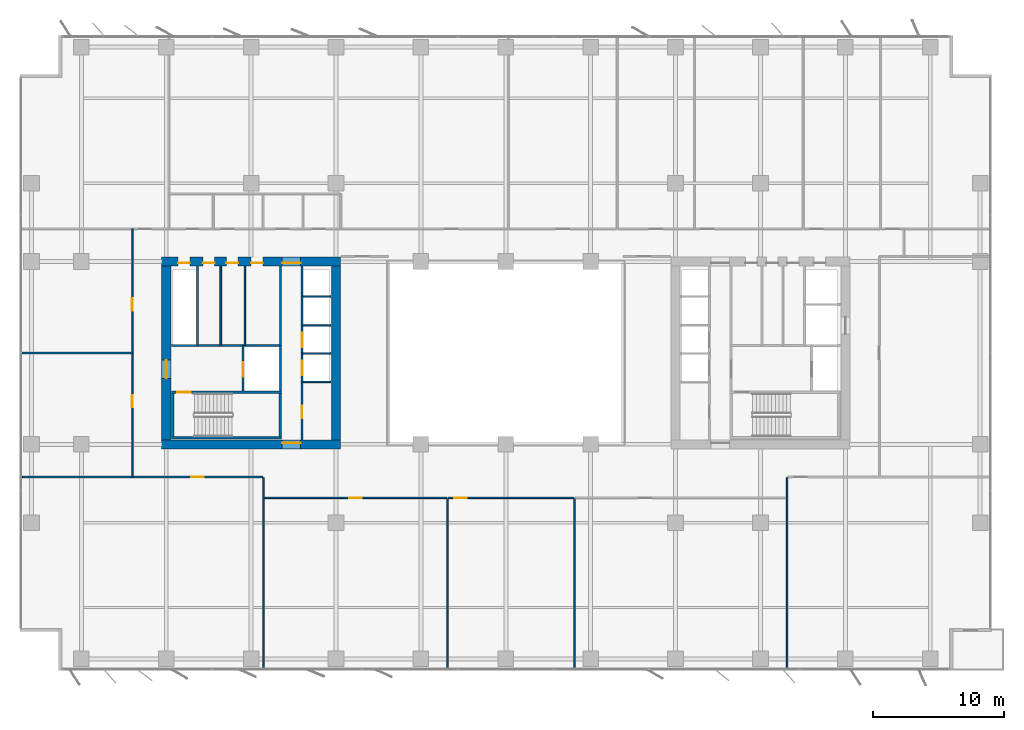
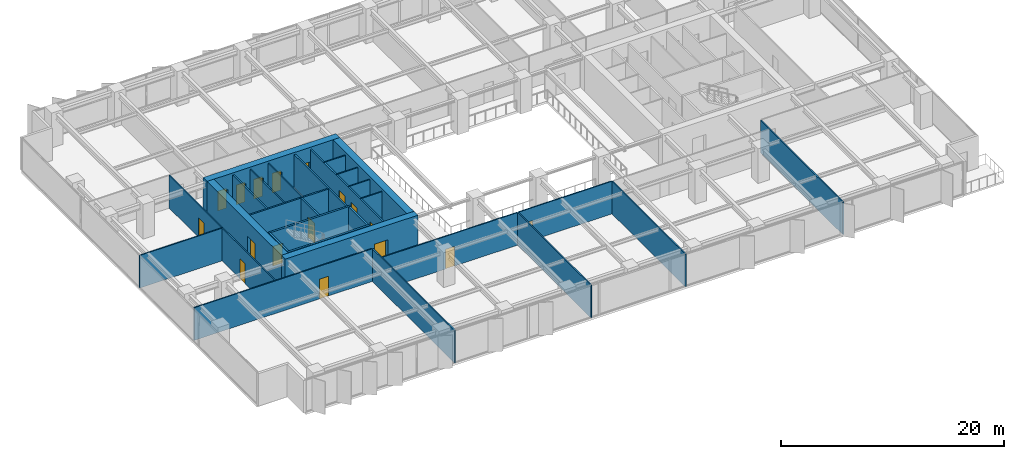
# One storey, part 13 of 20: 30 walls, 17 doors, 17 openings.
"""IFC4 building model written with IfcOpenShell, lengths in metres."""

from ifc_helpers import new_model, si_unit, direction, frame, frame_2d, origin, place, context, subcontext, project, spatial, rectangle, extrude, material, layer, layer_set, type_object, element, fill, save


model = new_model("IFC4")

# Units and contexts
model_context = context("Model", 3, precision=1e-05, world=origin(), true_north=direction((0.0, 1.0)))
body_context = subcontext(model_context, "Body", "Model", "MODEL_VIEW")
ifc_project = project(units=[si_unit("LENGTHUNIT", "METRE"), si_unit("AREAUNIT", "SQUARE_METRE"), si_unit("VOLUMEUNIT", "CUBIC_METRE"), si_unit("PLANEANGLEUNIT", "RADIAN"), si_unit("MASSUNIT", "GRAM", prefix="KILO")], contexts=[model_context])

# Site, building, storey
site_placement = place(None, origin())
site = spatial("IfcSite", under=ifc_project, at=site_placement, CompositionType="ELEMENT")
building_placement = place(site_placement, origin())
building = spatial("IfcBuilding", under=site, at=building_placement, Name="Putna Gate Headquarters", CompositionType="ELEMENT")
storey_placement = place(building_placement, frame((0.0, 0.0, 112.60009765625)))
storey = spatial("IfcBuildingStorey", under=building, at=storey_placement, Name="L27", CompositionType="ELEMENT", Elevation=112.60009765625)

# Wall, opening, door
ifc_material_1 = material(Name="Concrete C60/75", Category="concrete")
ifc_layer_1 = layer(ifc_material_1, 0.699951171875)
ifc_layer_set_1 = layer_set([ifc_layer_1], Name="Concrete C60/75")
wall_type_1 = type_object("IfcWallType", Name="WALL-CORE-700", PredefinedType="SHEAR", material=ifc_layer_set_1)
wall_1_placement = place(storey_placement, frame((12.64990234375, 19.0, 0.0), z_axis=(0.0, 0.0, 1.0), x_axis=(1.0, 0.0, 0.0)))
wall_1 = element("IfcWall", 1, at=wall_1_placement, inside=storey, type_object=wall_type_1, Name="L27 WC Split Core Shear Wall S", PredefinedType="SHEAR", context=body_context, shape_type="SweptSolid", body=[
    extrude(rectangle(XDim=13.7001953125, YDim=0.699951171875, at=frame_2d((6.85009765625, 0.0))), origin(), (0.0, 0.0, 1.0), 3.7998046875),
])
opening_1_placement = place(wall_1_placement, frame((9.22998046875, 0.0, 0.0)))
opening_1 = element("IfcOpeningElement", 2, at=opening_1_placement, cuts=wall_1, Name="Opening FDD-140", PredefinedType="OPENING", context=body_context, shape_type="SweptSolid", body=[
    extrude(rectangle(XDim=1.39990234375, YDim=2.199951171875, at=frame_2d((0.699951171875, 1.10009765625))), frame((0.0, 0.35986328125, 0.0), z_axis=(0.0, -1.0, 0.0), x_axis=(1.0, 0.0, 0.0)), (0.0, 0.0, 1.0), 0.719970703125),
])
ifc_material_2 = material(Name="Double steel fire door", Category="steel")
door_type_1 = type_object("IfcDoorType", Name="DOOR-FIRE-DBL-1400", OperationType="DOUBLE_DOOR_SINGLE_SWING", PredefinedType="DOOR", material=ifc_material_2)
door_1_placement = place(opening_1_placement, origin())
door_1 = element("IfcDoor", 3, at=door_1_placement, inside=storey, type_object=door_type_1, Name="L27 West Lift Lobby South Door", OperationType="DOUBLE_DOOR_SINGLE_SWING", OverallHeight=2.199951171875, OverallWidth=1.39990234375, PredefinedType="DOOR", context=body_context, shape_type="SweptSolid", body=[
    extrude(rectangle(XDim=1.39990234375, YDim=2.199951171875, at=frame_2d((0.699951171875, 1.10009765625))), frame((0.0, 0.125, 0.0), z_axis=(0.0, -1.0, 0.0), x_axis=(1.0, 0.0, 0.0)), (0.0, 0.0, 1.0), 0.050048828125),
])
fill(opening_1, door_1)

# Wall, openings, doors
wall_2_placement = place(storey_placement, frame((12.64990234375, 33.0, 0.0), z_axis=(0.0, 0.0, 1.0), x_axis=(1.0, 0.0, 0.0)))
wall_2 = element("IfcWall", 4, at=wall_2_placement, inside=storey, type_object=wall_type_1, Name="L27 WC Split Core Shear Wall N", PredefinedType="SHEAR", context=body_context, shape_type="SweptSolid", body=[
    extrude(rectangle(XDim=13.7001953125, YDim=0.699951171875, at=frame_2d((6.85009765625, 0.0))), origin(), (0.0, 0.0, 1.0), 3.7998046875),
])
opening_2_placement = place(wall_2_placement, frame((1.25, 0.0, 0.0)))
opening_2 = element("IfcOpeningElement", 5, at=opening_2_placement, cuts=wall_2, Name="Opening RD-90", PredefinedType="OPENING", context=body_context, shape_type="SweptSolid", body=[
    extrude(rectangle(XDim=0.89990234375, YDim=2.14990234375, at=frame_2d((0.449951171875, 1.074951171875))), frame((0.0, 0.35986328125, 0.0), z_axis=(0.0, -1.0, 0.0), x_axis=(1.0, 0.0, 0.0)), (0.0, 0.0, 1.0), 0.719970703125),
])
opening_3_placement = place(wall_2_placement, frame((3.14990234375, 0.0, 0.0)))
opening_3 = element("IfcOpeningElement", 6, at=opening_3_placement, cuts=wall_2, Name="Opening IDS-90", PredefinedType="OPENING", context=body_context, shape_type="SweptSolid", body=[
    extrude(rectangle(XDim=0.89990234375, YDim=2.14990234375, at=frame_2d((0.449951171875, 1.074951171875))), frame((0.0, 0.35986328125, 0.0), z_axis=(0.0, -1.0, 0.0), x_axis=(1.0, 0.0, 0.0)), (0.0, 0.0, 1.0), 0.719970703125),
])
opening_4_placement = place(wall_2_placement, frame((4.949951171875, 0.0, 0.0)))
opening_4 = element("IfcOpeningElement", 7, at=opening_4_placement, cuts=wall_2, Name="Opening IDS-90", PredefinedType="OPENING", context=body_context, shape_type="SweptSolid", body=[
    extrude(rectangle(XDim=0.89990234375, YDim=2.14990234375, at=frame_2d((0.449951171875, 1.074951171875))), frame((0.0, 0.35986328125, 0.0), z_axis=(0.0, -1.0, 0.0), x_axis=(1.0, 0.0, 0.0)), (0.0, 0.0, 1.0), 0.719970703125),
])
opening_5_placement = place(wall_2_placement, frame((6.85009765625, 0.0, 0.0)))
opening_5 = element("IfcOpeningElement", 8, at=opening_5_placement, cuts=wall_2, Name="Opening IDS-90", PredefinedType="OPENING", context=body_context, shape_type="SweptSolid", body=[
    extrude(rectangle(XDim=0.89990234375, YDim=2.14990234375, at=frame_2d((0.449951171875, 1.074951171875))), frame((0.0, 0.35986328125, 0.0), z_axis=(0.0, -1.0, 0.0), x_axis=(1.0, 0.0, 0.0)), (0.0, 0.0, 1.0), 0.719970703125),
])
opening_6_placement = place(wall_2_placement, frame((9.22998046875, 0.0, 0.0)))
opening_6 = element("IfcOpeningElement", 9, at=opening_6_placement, cuts=wall_2, Name="Opening FDD-140", PredefinedType="OPENING", context=body_context, shape_type="SweptSolid", body=[
    extrude(rectangle(XDim=1.39990234375, YDim=2.199951171875, at=frame_2d((0.699951171875, 1.10009765625))), frame((0.0, 0.35986328125, 0.0), z_axis=(0.0, -1.0, 0.0), x_axis=(1.0, 0.0, 0.0)), (0.0, 0.0, 1.0), 0.719970703125),
])
door_2_placement = place(opening_6_placement, origin())
door_2 = element("IfcDoor", 10, at=door_2_placement, inside=storey, type_object=door_type_1, Name="L27 West Lift Lobby North Door", OperationType="DOUBLE_DOOR_SINGLE_SWING", OverallHeight=2.199951171875, OverallWidth=1.39990234375, PredefinedType="DOOR", context=body_context, shape_type="SweptSolid", body=[
    extrude(rectangle(XDim=1.39990234375, YDim=2.199951171875, at=frame_2d((0.699951171875, 1.10009765625))), frame((0.0, -0.0751953125, 0.0), z_axis=(0.0, -1.0, 0.0), x_axis=(1.0, 0.0, 0.0)), (0.0, 0.0, 1.0), 0.050048828125),
])
fill(opening_6, door_2)
ifc_material_3 = material(Name="Fire-rated utility door")
door_type_2 = type_object("IfcDoorType", Name="DOOR-INT-900", OperationType="NOTDEFINED", PredefinedType="DOOR", material=ifc_material_3)
door_3_placement = place(opening_3_placement, origin())
door_3 = element("IfcDoor", 11, at=door_3_placement, inside=storey, type_object=door_type_2, Name="L27 Janitor Cupboard Door", OperationType="SINGLE_SWING_LEFT", OverallHeight=2.14990234375, OverallWidth=0.89990234375, PredefinedType="DOOR", context=body_context, shape_type="SweptSolid", body=[
    extrude(rectangle(XDim=0.89990234375, YDim=2.14990234375, at=frame_2d((0.449951171875, 1.074951171875))), frame((0.0, -0.0751953125, 0.0), z_axis=(0.0, -1.0, 0.0), x_axis=(1.0, 0.0, 0.0)), (0.0, 0.0, 1.0), 0.050048828125),
])
fill(opening_3, door_3)
door_4_placement = place(opening_4_placement, origin())
door_4 = element("IfcDoor", 12, at=door_4_placement, inside=storey, type_object=door_type_2, Name="L27 IT Patch Plant Door", OperationType="SINGLE_SWING_RIGHT", OverallHeight=2.14990234375, OverallWidth=0.89990234375, PredefinedType="DOOR", context=body_context, shape_type="SweptSolid", body=[
    extrude(rectangle(XDim=0.89990234375, YDim=2.14990234375, at=frame_2d((0.449951171875, 1.074951171875))), frame((0.0, -0.0751953125, 0.0), z_axis=(0.0, -1.0, 0.0), x_axis=(1.0, 0.0, 0.0)), (0.0, 0.0, 1.0), 0.050048828125),
])
fill(opening_4, door_4)
door_5_placement = place(opening_5_placement, origin())
door_5 = element("IfcDoor", 13, at=door_5_placement, inside=storey, type_object=door_type_2, Name="L27 Building Records Store Door", OperationType="SINGLE_SWING_LEFT", OverallHeight=2.14990234375, OverallWidth=0.89990234375, PredefinedType="DOOR", context=body_context, shape_type="SweptSolid", body=[
    extrude(rectangle(XDim=0.89990234375, YDim=2.14990234375, at=frame_2d((0.449951171875, 1.074951171875))), frame((0.0, -0.0751953125, 0.0), z_axis=(0.0, -1.0, 0.0), x_axis=(1.0, 0.0, 0.0)), (0.0, 0.0, 1.0), 0.050048828125),
])
fill(opening_5, door_5)
ifc_material_4 = material(Name="Steel riser access fire door", Category="steel")
door_type_3 = type_object("IfcDoorType", Name="DOOR-RISER-900", OperationType="NOTDEFINED", PredefinedType="DOOR", material=ifc_material_4)
door_6_placement = place(opening_2_placement, origin())
door_6 = element("IfcDoor", 14, at=door_6_placement, inside=storey, type_object=door_type_3, Name="L27 West Riser Access Door", OperationType="SINGLE_SWING_RIGHT", OverallHeight=2.14990234375, OverallWidth=0.89990234375, PredefinedType="DOOR", context=body_context, shape_type="SweptSolid", body=[
    extrude(rectangle(XDim=0.89990234375, YDim=2.14990234375, at=frame_2d((0.449951171875, 1.074951171875))), frame((0.0, -0.0751953125, 0.0), z_axis=(0.0, -1.0, 0.0), x_axis=(1.0, 0.0, 0.0)), (0.0, 0.0, 1.0), 0.050048828125),
])
fill(opening_2, door_6)

# Wall, opening, door
wall_3_placement = place(storey_placement, frame((13.0, 19.35009765625, 0.0), z_axis=(0.0, 0.0, 1.0), x_axis=(0.0, 1.0, 0.0)))
wall_3 = element("IfcWall", 15, at=wall_3_placement, inside=storey, type_object=wall_type_1, Name="L27 WC Split Core Shear Wall W", PredefinedType="SHEAR", context=body_context, shape_type="SweptSolid", body=[
    extrude(rectangle(XDim=13.2998046875, YDim=0.699951171875, at=frame_2d((6.64990234375, 0.0))), origin(), (0.0, 0.0, 1.0), 3.7998046875),
])
opening_7_placement = place(wall_3_placement, frame((4.699951171875, 0.0, 0.0)))
opening_7 = element("IfcOpeningElement", 16, at=opening_7_placement, cuts=wall_3, Name="Opening FDD-140", PredefinedType="OPENING", context=body_context, shape_type="SweptSolid", body=[
    extrude(rectangle(XDim=1.39990234375, YDim=2.199951171875, at=frame_2d((0.699951171875, 1.10009765625))), frame((0.0, 0.35986328125, 0.0), z_axis=(0.0, -1.0, 0.0), x_axis=(1.0, 0.0, 0.0)), (0.0, 0.0, 1.0), 0.719970703125),
])
door_7_placement = place(opening_7_placement, origin())
door_7 = element("IfcDoor", 17, at=door_7_placement, inside=storey, type_object=door_type_1, Name="L27 West Firefighting Lobby Door", OperationType="DOUBLE_DOOR_SINGLE_SWING", OverallHeight=2.199951171875, OverallWidth=1.39990234375, PredefinedType="DOOR", context=body_context, shape_type="SweptSolid", body=[
    extrude(rectangle(XDim=1.39990234375, YDim=2.199951171875, at=frame_2d((0.699951171875, 1.10009765625))), frame((0.0, 0.02490234375, 0.0), z_axis=(0.0, -1.0, 0.0), x_axis=(1.0, 0.0, 0.0)), (0.0, 0.0, 1.0), 0.050048828125),
])
fill(opening_7, door_7)

# Walls
wall_4_placement = place(storey_placement, frame((26.0, 19.35009765625, 0.0), z_axis=(0.0, 0.0, 1.0), x_axis=(0.0, 1.0, 0.0)))
element("IfcWall", 18, at=wall_4_placement, inside=storey, type_object=wall_type_1, Name="L27 WC Split Core Shear Wall E", PredefinedType="SHEAR", context=body_context, shape_type="SweptSolid", body=[
    extrude(rectangle(XDim=13.2998046875, YDim=0.699951171875, at=frame_2d((6.64990234375, 0.0))), origin(), (0.0, 0.0, 1.0), 3.7998046875),
])
ifc_material_5 = material(Name="Acoustic gypsum board on metal stud")
ifc_layer_2 = layer(ifc_material_5, 0.1201171875)
ifc_layer_set_2 = layer_set([ifc_layer_2], Name="Acoustic gypsum board on metal stud")
wall_type_2 = type_object("IfcWallType", Name="WALL-PART-120", PredefinedType="PARTITIONING", material=ifc_layer_set_2)
wall_5_placement = place(storey_placement, frame((20.430908203125, 1.719970703125, 0.0), z_axis=(0.0, 0.0, 1.0), x_axis=(0.0, 1.0, 0.0)))
element("IfcWall", 19, at=wall_5_placement, inside=storey, type_object=wall_type_2, Name="L27 Interior Wall PART-L27-SB-DIV-01", PredefinedType="PARTITIONING", context=body_context, shape_type="SweptSolid", body=[
    extrude(rectangle(XDim=14.719970703125, YDim=0.1201171875, at=frame_2d((7.35986328125, 0.0))), origin(), (0.0, 0.0, 1.0), 3.56494140625),
])
for number, where, z_axis, x_axis, name in (
    (20, (34.528076171875, 1.719970703125, 0.0), (0.0, 0.0, 1.0), (0.0, 1.0, 0.0), "L27 Interior Wall PART-L27-SB-DIV-02"),
    (21, (44.271484375, 1.719970703125, 0.0), (0.0, 0.0, 1.0), (0.0, 1.0, 0.0), "L27 Interior Wall PART-L27-SB-DIV-03"),
):
    element("IfcWall", number, at=place(storey_placement, frame(where, z_axis=z_axis, x_axis=x_axis)), inside=storey, type_object=wall_type_2, Name=name, PredefinedType="PARTITIONING", context=body_context, shape_type="SweptSolid", body=[
        extrude(rectangle(XDim=13.1201171875, YDim=0.1201171875, at=frame_2d((6.56005859375, 0.0))), origin(), (0.0, 0.0, 1.0), 3.56494140625),
    ])
wall_6_placement = place(storey_placement, frame((60.545654296875, 1.719970703125, 0.0), z_axis=(0.0, 0.0, 1.0), x_axis=(0.0, 1.0, 0.0)))
element("IfcWall", 22, at=wall_6_placement, inside=storey, type_object=wall_type_2, Name="L27 Interior Wall PART-L27-SB-DIV-04", PredefinedType="PARTITIONING", context=body_context, shape_type="SweptSolid", body=[
    extrude(rectangle(XDim=14.719970703125, YDim=0.1201171875, at=frame_2d((7.35986328125, 0.0))), origin(), (0.0, 0.0, 1.0), 3.56494140625),
])
wall_7_placement = place(storey_placement, frame((1.820068359375, 26.0, 0.0), z_axis=(0.0, 0.0, 1.0), x_axis=(1.0, 0.0, 0.0)))
element("IfcWall", 23, at=wall_7_placement, inside=storey, type_object=wall_type_2, Name="L27 Interior Wall PART-L27-WW-DIV-1", PredefinedType="PARTITIONING", context=body_context, shape_type="SweptSolid", body=[
    extrude(rectangle(XDim=8.579833984375, YDim=0.1201171875, at=frame_2d((4.2900390625, 0.0))), origin(), (0.0, 0.0, 1.0), 3.56494140625),
])
ifc_material_6 = material(Name="Fire-rated shaftwall gypsum board on metal stud")
ifc_layer_3 = layer(ifc_material_6, 0.1201171875)
ifc_layer_set_3 = layer_set([ifc_layer_3], Name="Fire-rated shaftwall gypsum board on metal stud")
wall_type_3 = type_object("IfcWallType", Name="WALL-PART-120-EI120", PredefinedType="PARTITIONING", material=ifc_layer_set_3)
for number, where, z_axis, x_axis, name in (
    (24, (23.39990234375, 25.949951171875, 0.0), (0.0, 0.0, 1.0), (1.0, 0.0, 0.0), "L27 Interior Wall CWINT-L27-WC-LF05-DIV"),
    (25, (23.39990234375, 28.1201171875, 0.0), (0.0, 0.0, 1.0), (1.0, 0.0, 0.0), "L27 Interior Wall CWINT-L27-WC-LF06-DIV"),
    (26, (23.39990234375, 30.31005859375, 0.0), (0.0, 0.0, 1.0), (1.0, 0.0, 0.0), "L27 Interior Wall CWINT-L27-WC-LF09-DIV"),
):
    element("IfcWall", number, at=place(storey_placement, frame(where, z_axis=z_axis, x_axis=x_axis)), inside=storey, type_object=wall_type_3, Name=name, PredefinedType="PARTITIONING", context=body_context, shape_type="SweptSolid", body=[
        extrude(rectangle(XDim=2.2001953125, YDim=0.1201171875, at=frame_2d((1.10009765625, 0.0))), origin(), (0.0, 0.0, 1.0), 3.56494140625),
    ])
ifc_material_7 = material(Name="Fire-rated gypsum board on metal stud")
ifc_layer_4 = layer(ifc_material_7, 0.1201171875)
ifc_layer_set_4 = layer_set([ifc_layer_4], Name="Fire-rated gypsum board on metal stud")
wall_type_4 = type_object("IfcWallType", Name="WALL-PART-120-RATED", PredefinedType="PARTITIONING", material=ifc_layer_set_4)
for number, where, z_axis, x_axis, name in (
    (27, (17.169921875, 26.56005859375, 0.0), (0.0, 0.0, 1.0), (0.0, 1.0, 0.0), "L27 Interior Wall CWINT-L27-WC-K2-D1"),
    (28, (19.02001953125, 26.56005859375, 0.0), (0.0, 0.0, 1.0), (0.0, 1.0, 0.0), "L27 Interior Wall CWINT-L27-WC-K2-D2"),
):
    element("IfcWall", number, at=place(storey_placement, frame(where, z_axis=z_axis, x_axis=x_axis)), inside=storey, type_object=wall_type_4, Name=name, PredefinedType="PARTITIONING", context=body_context, shape_type="SweptSolid", body=[
        extrude(rectangle(XDim=6.08984375, YDim=0.1201171875, at=frame_2d((3.044921875, 0.0))), origin(), (0.0, 0.0, 1.0), 3.56494140625),
    ])
wall_8_placement = place(storey_placement, frame((23.39990234375, 23.780029296875, 0.0), z_axis=(0.0, 0.0, 1.0), x_axis=(1.0, 0.0, 0.0)))
element("IfcWall", 29, at=wall_8_placement, inside=storey, type_object=wall_type_4, Name="L27 Interior Wall CWINT-L27-WC-LF02-DIV", PredefinedType="PARTITIONING", context=body_context, shape_type="SweptSolid", body=[
    extrude(rectangle(XDim=2.2001953125, YDim=0.1201171875, at=frame_2d((1.10009765625, 0.0))), origin(), (0.0, 0.0, 1.0), 3.56494140625),
])

# Wall, opening, door
wall_9_placement = place(storey_placement, frame((1.97998046875, 16.5, 0.0), z_axis=(0.0, 0.0, 1.0), x_axis=(1.0, 0.0, 0.0)))
wall_9 = element("IfcWall", 30, at=wall_9_placement, inside=storey, type_object=wall_type_4, Name="L27 Interior Wall PART-L27-SB-CW-01", PredefinedType="PARTITIONING", context=body_context, shape_type="SweptSolid", body=[
    extrude(rectangle(XDim=18.390869140625, YDim=0.1201171875, at=frame_2d((9.1953125, 0.0))), origin(), (0.0, 0.0, 1.0), 3.56494140625),
])
opening_8_placement = place(wall_9_placement, frame((12.930419921875, 0.0, 0.0)))
opening_8 = element("IfcOpeningElement", 31, at=opening_8_placement, cuts=wall_9, Name="Opening FD-95", PredefinedType="OPENING", context=body_context, shape_type="SweptSolid", body=[
    extrude(rectangle(XDim=0.949951171875, YDim=2.14990234375, at=frame_2d((0.47509765625, 1.074951171875))), frame((0.0, 0.070068359375, 0.0), z_axis=(0.0, -1.0, 0.0), x_axis=(1.0, 0.0, 0.0)), (0.0, 0.0, 1.0), 0.14013671875),
])
ifc_material_8 = material(Name="Acoustic timber fire door", Category="wood")
door_type_4 = type_object("IfcDoorType", Name="DOOR-FIRE-950", OperationType="NOTDEFINED", PredefinedType="DOOR", material=ifc_material_8)
door_8_placement = place(opening_8_placement, origin())
door_8 = element("IfcDoor", 32, at=door_8_placement, inside=storey, type_object=door_type_4, Name="L27 Cellular Office 2 Door", OperationType="SINGLE_SWING_RIGHT", OverallHeight=2.14990234375, OverallWidth=0.949951171875, PredefinedType="DOOR", context=body_context, shape_type="SweptSolid", body=[
    extrude(rectangle(XDim=0.949951171875, YDim=2.14990234375, at=frame_2d((0.47509765625, 1.074951171875))), frame((0.0, 0.02490234375, 0.0), z_axis=(0.0, -1.0, 0.0), x_axis=(1.0, 0.0, 0.0)), (0.0, 0.0, 1.0), 0.050048828125),
])
fill(opening_8, door_8)

wall_10_placement = place(storey_placement, frame((20.49072265625, 14.89990234375, 0.0), z_axis=(0.0, 0.0, 1.0), x_axis=(1.0, 0.0, 0.0)))
wall_10 = element("IfcWall", 33, at=wall_10_placement, inside=storey, type_object=wall_type_4, Name="L27 Interior Wall PART-L27-SB-CW-02", PredefinedType="PARTITIONING", context=body_context, shape_type="SweptSolid", body=[
    extrude(rectangle(XDim=13.977294921875, YDim=0.1201171875, at=frame_2d((6.98876953125, 0.0))), origin(), (0.0, 0.0, 1.0), 3.56494140625),
])
opening_9_placement = place(wall_10_placement, frame((6.513671875, 0.0, 0.0)))
opening_9 = element("IfcOpeningElement", 34, at=opening_9_placement, cuts=wall_10, Name="Opening FD-95", PredefinedType="OPENING", context=body_context, shape_type="SweptSolid", body=[
    extrude(rectangle(XDim=0.949951171875, YDim=2.14990234375, at=frame_2d((0.47509765625, 1.074951171875))), frame((0.0, 0.070068359375, 0.0), z_axis=(0.0, -1.0, 0.0), x_axis=(1.0, 0.0, 0.0)), (0.0, 0.0, 1.0), 0.14013671875),
])
door_9_placement = place(opening_9_placement, origin())
door_9 = element("IfcDoor", 35, at=door_9_placement, inside=storey, type_object=door_type_4, Name="L27 Collaborative Breakout Lounge 1 Door", OperationType="SINGLE_SWING_LEFT", OverallHeight=2.14990234375, OverallWidth=0.949951171875, PredefinedType="DOOR", context=body_context, shape_type="SweptSolid", body=[
    extrude(rectangle(XDim=0.949951171875, YDim=2.14990234375, at=frame_2d((0.47509765625, 1.074951171875))), frame((0.0, 0.02490234375, 0.0), z_axis=(0.0, -1.0, 0.0), x_axis=(1.0, 0.0, 0.0)), (0.0, 0.0, 1.0), 0.050048828125),
])
fill(opening_9, door_9)

wall_11_placement = place(storey_placement, frame((34.587890625, 14.89990234375, 0.0), z_axis=(0.0, 0.0, 1.0), x_axis=(1.0, 0.0, 0.0)))
wall_11 = element("IfcWall", 36, at=wall_11_placement, inside=storey, type_object=wall_type_4, Name="L27 Interior Wall PART-L27-SB-CW-03", PredefinedType="PARTITIONING", context=body_context, shape_type="SweptSolid", body=[
    extrude(rectangle(XDim=9.623779296875, YDim=0.1201171875, at=frame_2d((4.81201171875, 0.0))), origin(), (0.0, 0.0, 1.0), 3.56494140625),
])
opening_10_placement = place(wall_11_placement, frame((0.47998046875, 0.0, 0.0)))
opening_10 = element("IfcOpeningElement", 37, at=opening_10_placement, cuts=wall_11, Name="Opening FD-95", PredefinedType="OPENING", context=body_context, shape_type="SweptSolid", body=[
    extrude(rectangle(XDim=0.949951171875, YDim=2.14990234375, at=frame_2d((0.47509765625, 1.074951171875))), frame((0.0, 0.070068359375, 0.0), z_axis=(0.0, -1.0, 0.0), x_axis=(1.0, 0.0, 0.0)), (0.0, 0.0, 1.0), 0.14013671875),
])
door_10_placement = place(opening_10_placement, origin())
door_10 = element("IfcDoor", 38, at=door_10_placement, inside=storey, type_object=door_type_4, Name="L27 Collaborative Breakout Lounge 2 Door", OperationType="SINGLE_SWING_RIGHT", OverallHeight=2.14990234375, OverallWidth=0.949951171875, PredefinedType="DOOR", context=body_context, shape_type="SweptSolid", body=[
    extrude(rectangle(XDim=0.949951171875, YDim=2.14990234375, at=frame_2d((0.47509765625, 1.074951171875))), frame((0.0, 0.02490234375, 0.0), z_axis=(0.0, -1.0, 0.0), x_axis=(1.0, 0.0, 0.0)), (0.0, 0.0, 1.0), 0.050048828125),
])
fill(opening_10, door_10)

wall_12_placement = place(storey_placement, frame((10.39990234375, 16.5, 0.0), z_axis=(0.0, 0.0, 1.0), x_axis=(0.0, 1.0, 0.0)))
wall_12 = element("IfcWall", 39, at=wall_12_placement, inside=storey, type_object=wall_type_4, Name="L27 Interior Wall PART-L27-WW-CW-1", PredefinedType="PARTITIONING", context=body_context, shape_type="SweptSolid", body=[
    extrude(rectangle(XDim=9.5, YDim=0.1201171875, at=frame_2d((4.75, 0.0))), origin(), (0.0, 0.0, 1.0), 3.56494140625),
])
opening_11_placement = place(wall_12_placement, frame((5.324951171875, 0.0, 0.0)))
opening_11 = element("IfcOpeningElement", 40, at=opening_11_placement, cuts=wall_12, Name="Opening FD-95", PredefinedType="OPENING", context=body_context, shape_type="SweptSolid", body=[
    extrude(rectangle(XDim=0.949951171875, YDim=2.14990234375, at=frame_2d((0.47509765625, 1.074951171875))), frame((0.0, 0.070068359375, 0.0), z_axis=(0.0, -1.0, 0.0), x_axis=(1.0, 0.0, 0.0)), (0.0, 0.0, 1.0), 0.14013671875),
])
door_11_placement = place(opening_11_placement, origin())
door_11 = element("IfcDoor", 41, at=door_11_placement, inside=storey, type_object=door_type_4, Name="L27 West Project Meeting Room 1 Door", OperationType="SINGLE_SWING_LEFT", OverallHeight=2.14990234375, OverallWidth=0.949951171875, PredefinedType="DOOR", context=body_context, shape_type="SweptSolid", body=[
    extrude(rectangle(XDim=0.949951171875, YDim=2.14990234375, at=frame_2d((0.47509765625, 1.074951171875))), frame((0.0, 0.02490234375, 0.0), z_axis=(0.0, -1.0, 0.0), x_axis=(1.0, 0.0, 0.0)), (0.0, 0.0, 1.0), 0.050048828125),
])
fill(opening_11, door_11)

wall_13_placement = place(storey_placement, frame((10.39990234375, 26.0, 0.0), z_axis=(0.0, 0.0, 1.0), x_axis=(0.0, 1.0, 0.0)))
wall_13 = element("IfcWall", 42, at=wall_13_placement, inside=storey, type_object=wall_type_4, Name="L27 Interior Wall PART-L27-WW-CW-2", PredefinedType="PARTITIONING", context=body_context, shape_type="SweptSolid", body=[
    extrude(rectangle(XDim=9.5, YDim=0.1201171875, at=frame_2d((4.75, 0.0))), origin(), (0.0, 0.0, 1.0), 3.56494140625),
])
opening_12_placement = place(wall_13_placement, frame((3.22509765625, 0.0, 0.0)))
opening_12 = element("IfcOpeningElement", 43, at=opening_12_placement, cuts=wall_13, Name="Opening FD-95", PredefinedType="OPENING", context=body_context, shape_type="SweptSolid", body=[
    extrude(rectangle(XDim=0.949951171875, YDim=2.14990234375, at=frame_2d((0.47509765625, 1.074951171875))), frame((0.0, 0.070068359375, 0.0), z_axis=(0.0, -1.0, 0.0), x_axis=(1.0, 0.0, 0.0)), (0.0, 0.0, 1.0), 0.14013671875),
])
door_12_placement = place(opening_12_placement, origin())
door_12 = element("IfcDoor", 44, at=door_12_placement, inside=storey, type_object=door_type_4, Name="L27 West Project Meeting Room 2 Door", OperationType="SINGLE_SWING_RIGHT", OverallHeight=2.14990234375, OverallWidth=0.949951171875, PredefinedType="DOOR", context=body_context, shape_type="SweptSolid", body=[
    extrude(rectangle(XDim=0.949951171875, YDim=2.14990234375, at=frame_2d((0.47509765625, 1.074951171875))), frame((0.0, 0.02490234375, 0.0), z_axis=(0.0, -1.0, 0.0), x_axis=(1.0, 0.0, 0.0)), (0.0, 0.0, 1.0), 0.050048828125),
])
fill(opening_12, door_12)

# Wall
ifc_material_9 = material(Name="Concrete C40/50", Category="concrete")
ifc_layer_5 = layer(ifc_material_9, 0.159912109375)
ifc_layer_set_5 = layer_set([ifc_layer_5], Name="Concrete C40/50")
wall_type_5 = type_object("IfcWallType", Name="WALL-SHAFT-160", PredefinedType="STANDARD", material=ifc_layer_set_5)
wall_14_placement = place(storey_placement, frame((21.739990234375, 23.090087890625, 0.0), z_axis=(0.0, 0.0, 1.0), x_axis=(0.0, 1.0, 0.0)))
element("IfcWall", 45, at=wall_14_placement, inside=storey, type_object=wall_type_5, Name="L27 Interior Wall CWINT-L27-WC-FFL-E", PredefinedType="STANDARD", context=body_context, shape_type="SweptSolid", body=[
    extrude(rectangle(XDim=3.469970703125, YDim=0.159912109375, at=frame_2d((1.73486328125, 0.0))), origin(), (0.0, 0.0, 1.0), 3.56494140625),
])

# Wall, opening, door
wall_15_placement = place(storey_placement, frame((18.8798828125, 23.090087890625, 0.0), z_axis=(0.0, 0.0, 1.0), x_axis=(0.0, 1.0, 0.0)))
wall_15 = element("IfcWall", 46, at=wall_15_placement, inside=storey, type_object=wall_type_5, Name="L27 Interior Wall CWINT-L27-WC-LF13-W", PredefinedType="STANDARD", context=body_context, shape_type="SweptSolid", body=[
    extrude(rectangle(XDim=3.469970703125, YDim=0.159912109375, at=frame_2d((1.73486328125, 0.0))), origin(), (0.0, 0.0, 1.0), 3.56494140625),
])
opening_13_placement = place(wall_15_placement, frame((1.10009765625, 0.0, 0.0)))
opening_13 = element("IfcOpeningElement", 47, at=opening_13_placement, cuts=wall_15, Name="Opening LD-1", PredefinedType="OPENING", context=body_context, shape_type="SweptSolid", body=[
    extrude(rectangle(XDim=1.10009765625, YDim=2.199951171875, at=frame_2d((0.550048828125, 1.10009765625))), frame((0.0, 0.08984375, 0.0), z_axis=(0.0, -1.0, 0.0), x_axis=(1.0, 0.0, 0.0)), (0.0, 0.0, 1.0), 0.179931640625),
])
ifc_material_10 = material(Name="Brushed bronze stainless lift landing door")
door_type_5 = type_object("IfcDoorType", Name="DOOR-LIFT-1100", OperationType="DOUBLE_DOOR_SLIDING", PredefinedType="DOOR", material=ifc_material_10)
door_13_placement = place(opening_13_placement, origin())
door_13 = element("IfcDoor", 48, at=door_13_placement, inside=storey, type_object=door_type_5, Name="L27 Lift Landing Door LD-13", OperationType="DOUBLE_DOOR_SLIDING", OverallHeight=2.199951171875, OverallWidth=1.10009765625, PredefinedType="DOOR", context=body_context, shape_type="SweptSolid", body=[
    extrude(rectangle(XDim=1.10009765625, YDim=2.199951171875, at=frame_2d((0.550048828125, 1.10009765625))), frame((0.0, 0.02490234375, 0.0), z_axis=(0.0, -1.0, 0.0), x_axis=(1.0, 0.0, 0.0)), (0.0, 0.0, 1.0), 0.050048828125),
])
fill(opening_13, door_13)

# Walls
wall_16_placement = place(storey_placement, frame((13.39990234375, 26.56005859375, 0.0), z_axis=(0.0, 0.0, 1.0), x_axis=(1.0, 0.0, 0.0)))
element("IfcWall", 49, at=wall_16_placement, inside=storey, type_object=wall_type_5, Name="L27 Interior Wall CWINT-L27-WC-FFL-N", PredefinedType="STANDARD", context=body_context, shape_type="SweptSolid", body=[
    extrude(rectangle(XDim=8.340087890625, YDim=0.159912109375, at=frame_2d((4.169921875, 0.0))), origin(), (0.0, 0.0, 1.0), 3.56494140625),
])
for number, where, z_axis, x_axis, name in (
    (50, (15.3798828125, 26.56005859375, 0.0), (0.0, 0.0, 1.0), (0.0, 1.0, 0.0), "L27 Interior Wall CWINT-L27-WC-RISER-E"),
    (51, (21.739990234375, 26.56005859375, 0.0), (0.0, 0.0, 1.0), (0.0, 1.0, 0.0), "L27 Interior Wall CWINT-L27-WC-LOB-W"),
):
    element("IfcWall", number, at=place(storey_placement, frame(where, z_axis=z_axis, x_axis=x_axis)), inside=storey, type_object=wall_type_5, Name=name, PredefinedType="STANDARD", context=body_context, shape_type="SweptSolid", body=[
        extrude(rectangle(XDim=6.08984375, YDim=0.159912109375, at=frame_2d((3.044921875, 0.0))), origin(), (0.0, 0.0, 1.0), 3.56494140625),
    ])

# Wall, openings, doors
wall_17_placement = place(storey_placement, frame((23.39990234375, 19.35009765625, 0.0), z_axis=(0.0, 0.0, 1.0), x_axis=(0.0, 1.0, 0.0)))
wall_17 = element("IfcWall", 52, at=wall_17_placement, inside=storey, type_object=wall_type_5, Name="L27 Interior Wall CWINT-L27-WC-PL-WALL", PredefinedType="STANDARD", context=body_context, shape_type="SweptSolid", body=[
    extrude(rectangle(XDim=13.2998046875, YDim=0.159912109375, at=frame_2d((6.64990234375, 0.0))), origin(), (0.0, 0.0, 1.0), 3.56494140625),
])
opening_14_placement = place(wall_17_placement, frame((1.64990234375, 0.0, 0.0)))
opening_14 = element("IfcOpeningElement", 53, at=opening_14_placement, cuts=wall_17, Name="Opening IDS-95", PredefinedType="OPENING", context=body_context, shape_type="SweptSolid", body=[
    extrude(rectangle(XDim=0.949951171875, YDim=2.14990234375, at=frame_2d((0.47509765625, 1.074951171875))), frame((0.0, 0.08984375, 0.0), z_axis=(0.0, -1.0, 0.0), x_axis=(1.0, 0.0, 0.0)), (0.0, 0.0, 1.0), 0.179931640625),
])
opening_15_placement = place(wall_17_placement, frame((4.949951171875, 0.0, 0.0)))
opening_15 = element("IfcOpeningElement", 54, at=opening_15_placement, cuts=wall_17, Name="Opening LD-1", PredefinedType="OPENING", context=body_context, shape_type="SweptSolid", body=[
    extrude(rectangle(XDim=1.10009765625, YDim=2.199951171875, at=frame_2d((0.550048828125, 1.10009765625))), frame((0.0, 0.08984375, 0.0), z_axis=(0.0, -1.0, 0.0), x_axis=(1.0, 0.0, 0.0)), (0.0, 0.0, 1.0), 0.179931640625),
])
opening_16_placement = place(wall_17_placement, frame((7.10009765625, 0.0, 0.0)))
opening_16 = element("IfcOpeningElement", 55, at=opening_16_placement, cuts=wall_17, Name="Opening LD-1", PredefinedType="OPENING", context=body_context, shape_type="SweptSolid", body=[
    extrude(rectangle(XDim=1.10009765625, YDim=2.199951171875, at=frame_2d((0.550048828125, 1.10009765625))), frame((0.0, 0.08984375, 0.0), z_axis=(0.0, -1.0, 0.0), x_axis=(1.0, 0.0, 0.0)), (0.0, 0.0, 1.0), 0.179931640625),
])
ifc_material_11 = material(Name="Fire-rated service timber door", Category="wood")
door_type_6 = type_object("IfcDoorType", Name="DOOR-INT-950", OperationType="NOTDEFINED", PredefinedType="DOOR", material=ifc_material_11)
door_14_placement = place(opening_14_placement, origin())
door_14 = element("IfcDoor", 56, at=door_14_placement, inside=storey, type_object=door_type_6, Name="L27 Document Archive Door", OperationType="SINGLE_SWING_LEFT", OverallHeight=2.14990234375, OverallWidth=0.949951171875, PredefinedType="DOOR", context=body_context, shape_type="SweptSolid", body=[
    extrude(rectangle(XDim=0.949951171875, YDim=2.14990234375, at=frame_2d((0.47509765625, 1.074951171875))), frame((0.0, 0.02490234375, 0.0), z_axis=(0.0, -1.0, 0.0), x_axis=(1.0, 0.0, 0.0)), (0.0, 0.0, 1.0), 0.050048828125),
])
fill(opening_14, door_14)
door_15_placement = place(opening_15_placement, origin())
door_15 = element("IfcDoor", 57, at=door_15_placement, inside=storey, type_object=door_type_5, Name="L27 Lift Landing Door LD-05", OperationType="DOUBLE_DOOR_SLIDING", OverallHeight=2.199951171875, OverallWidth=1.10009765625, PredefinedType="DOOR", context=body_context, shape_type="SweptSolid", body=[
    extrude(rectangle(XDim=1.10009765625, YDim=2.199951171875, at=frame_2d((0.550048828125, 1.10009765625))), frame((0.0, 0.02490234375, 0.0), z_axis=(0.0, -1.0, 0.0), x_axis=(1.0, 0.0, 0.0)), (0.0, 0.0, 1.0), 0.050048828125),
])
fill(opening_15, door_15)
door_16_placement = place(opening_16_placement, origin())
door_16 = element("IfcDoor", 58, at=door_16_placement, inside=storey, type_object=door_type_5, Name="L27 Lift Landing Door LD-06", OperationType="DOUBLE_DOOR_SLIDING", OverallHeight=2.199951171875, OverallWidth=1.10009765625, PredefinedType="DOOR", context=body_context, shape_type="SweptSolid", body=[
    extrude(rectangle(XDim=1.10009765625, YDim=2.199951171875, at=frame_2d((0.550048828125, 1.10009765625))), frame((0.0, 0.02490234375, 0.0), z_axis=(0.0, -1.0, 0.0), x_axis=(1.0, 0.0, 0.0)), (0.0, 0.0, 1.0), 0.050048828125),
])
fill(opening_16, door_16)

# Wall
ifc_layer_6 = layer(ifc_material_9, 0.199951171875)
ifc_layer_set_6 = layer_set([ifc_layer_6], Name="Concrete C40/50")
wall_type_6 = type_object("IfcWallType", Name="WALL-SHAFT-RC200", PredefinedType="SHEAR", material=ifc_layer_set_6)
wall_18_placement = place(storey_placement, frame((13.409912109375, 19.510009765625, 0.0), z_axis=(0.0, 0.0, 1.0), x_axis=(1.0, 0.0, 0.0)))
element("IfcWall", 59, at=wall_18_placement, inside=storey, type_object=wall_type_6, Name="L27 Stair ST1 Structural Shaft Wall S", PredefinedType="SHEAR", context=body_context, shape_type="SweptSolid", body=[
    extrude(rectangle(XDim=8.43017578125, YDim=0.199951171875, at=frame_2d((4.215087890625, 0.0))), origin(), (0.0, 0.0, 1.0), 3.7998046875),
])

# Wall, opening, door
wall_19_placement = place(storey_placement, frame((13.409912109375, 22.989990234375, 0.0), z_axis=(0.0, 0.0, 1.0), x_axis=(1.0, 0.0, 0.0)))
wall_19 = element("IfcWall", 60, at=wall_19_placement, inside=storey, type_object=wall_type_6, Name="L27 Stair ST1 Structural Shaft Wall N", PredefinedType="SHEAR", context=body_context, shape_type="SweptSolid", body=[
    extrude(rectangle(XDim=8.43017578125, YDim=0.199951171875, at=frame_2d((4.215087890625, 0.0))), origin(), (0.0, 0.0, 1.0), 3.7998046875),
])
opening_17_placement = place(wall_19_placement, frame((0.449951171875, 0.0, 0.0)))
opening_17 = element("IfcOpeningElement", 61, at=opening_17_placement, cuts=wall_19, Name="Opening FD-100", PredefinedType="OPENING", context=body_context, shape_type="SweptSolid", body=[
    extrude(rectangle(XDim=1.0, YDim=2.14990234375, at=frame_2d((0.5, 1.074951171875))), frame((0.0, 0.10986328125, 0.0), z_axis=(0.0, -1.0, 0.0), x_axis=(1.0, 0.0, 0.0)), (0.0, 0.0, 1.0), 0.219970703125),
])
ifc_material_12 = material(Name="Powder-coated steel fire door", Category="steel")
door_type_7 = type_object("IfcDoorType", Name="DOOR-FIRE-1000", OperationType="NOTDEFINED", PredefinedType="DOOR", material=ifc_material_12)
door_17_placement = place(opening_17_placement, origin())
door_17 = element("IfcDoor", 62, at=door_17_placement, inside=storey, type_object=door_type_7, Name="L27 Stair ST1 Fire Door", OperationType="SINGLE_SWING_LEFT", OverallHeight=2.14990234375, OverallWidth=1.0, PredefinedType="DOOR", context=body_context, shape_type="SweptSolid", body=[
    extrude(rectangle(XDim=1.0, YDim=2.14990234375, at=frame_2d((0.5, 1.074951171875))), frame((0.0, 0.02490234375, 0.0), z_axis=(0.0, -1.0, 0.0), x_axis=(1.0, 0.0, 0.0)), (0.0, 0.0, 1.0), 0.050048828125),
])
fill(opening_17, door_17)

# Walls
for number, where, z_axis, x_axis, name in (
    (63, (13.510009765625, 19.610107421875, 0.0), (0.0, 0.0, 1.0), (0.0, 1.0, 0.0), "L27 Stair ST1 Structural Shaft Wall W"),
    (64, (21.739990234375, 19.610107421875, 0.0), (0.0, 0.0, 1.0), (0.0, 1.0, 0.0), "L27 Stair ST1 Structural Shaft Wall E"),
):
    element("IfcWall", number, at=place(storey_placement, frame(where, z_axis=z_axis, x_axis=x_axis)), inside=storey, type_object=wall_type_6, Name=name, PredefinedType="SHEAR", context=body_context, shape_type="SweptSolid", body=[
        extrude(rectangle(XDim=3.27978515625, YDim=0.199951171875, at=frame_2d((1.639892578125, 0.0))), origin(), (0.0, 0.0, 1.0), 3.7998046875),
    ])

save(model, "model.ifc")
